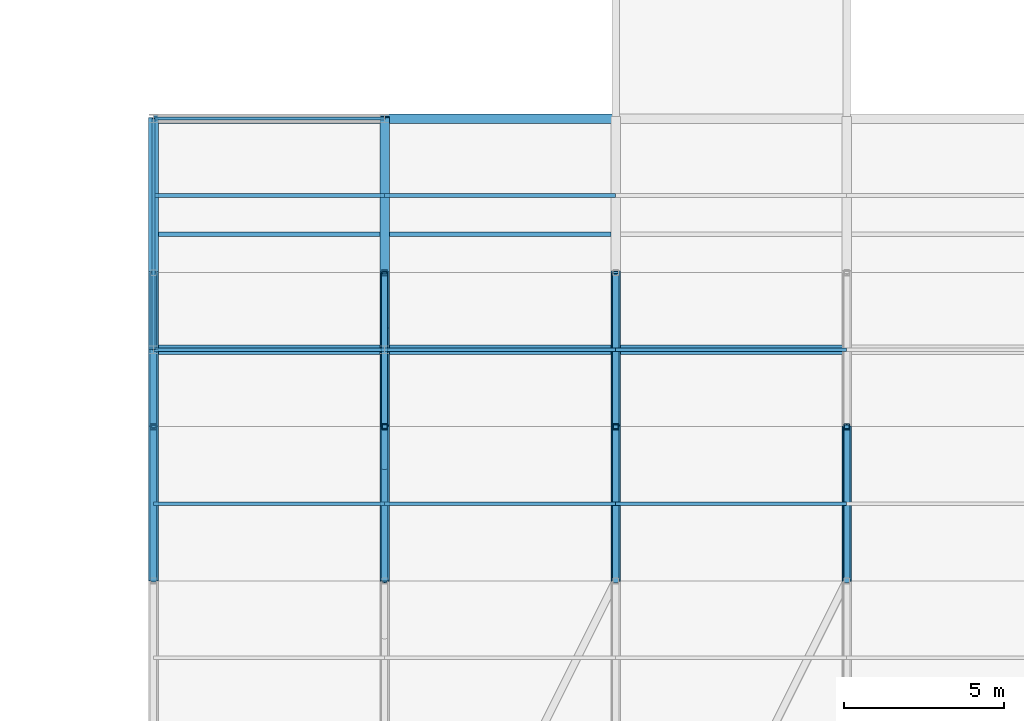
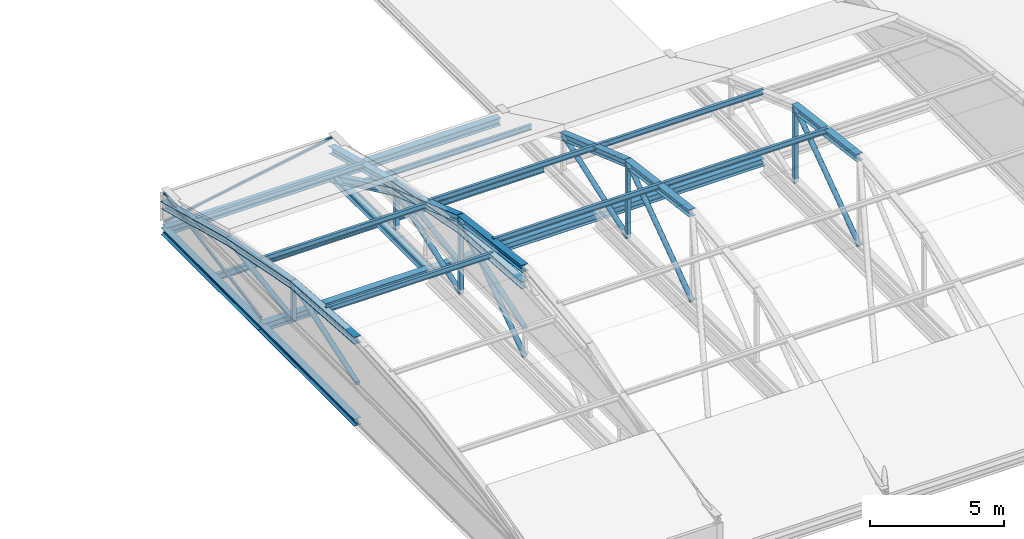
# One storey, part 24 of 103: 29 members, 18 beams.
"""IFC4 building model written with IfcOpenShell, lengths in metres."""

from ifc_helpers import new_model, si_unit, direction, frame, origin, origin_2d, place, context, subcontext, project, spatial, hollow_rectangle, hollow_circle, i_section, extrude, material, material_profile, profile_set, type_object, element, save


model = new_model("IFC4")

# Units and contexts
model_context = context("Model", 3, precision=1e-05, world=origin(), true_north=direction((0.0, 1.0)))
body_context = subcontext(model_context, "Body", "Model", "MODEL_VIEW")
ifc_project = project(units=[si_unit("LENGTHUNIT", "METRE"), si_unit("AREAUNIT", "SQUARE_METRE"), si_unit("VOLUMEUNIT", "CUBIC_METRE"), si_unit("PLANEANGLEUNIT", "RADIAN"), si_unit("MASSUNIT", "GRAM", prefix="KILO")], contexts=[model_context])

# Site, building, storey
site_placement = place(None, origin())
site = spatial("IfcSite", under=ifc_project, at=site_placement, CompositionType="ELEMENT")
building_placement = place(site_placement, origin())
building = spatial("IfcBuilding", under=site, at=building_placement, Name="Zlatovets Crest Museum", CompositionType="ELEMENT")
storey_placement = place(building_placement, frame((0.0, 0.0, 12.89990234375)))
storey = spatial("IfcBuildingStorey", under=building, at=storey_placement, Name="L03", CompositionType="ELEMENT", Elevation=12.89990234375)

# Beams
ifc_material = material(Name="Structural steel S355J2", Category="steel")
ifc_material_profile_1 = material_profile(ifc_material, i_section(OverallWidth=0.300048828125, OverallDepth=0.35009765625, WebThickness=0.010009765625, FlangeThickness=0.017578125, FilletRadius=0.027099609375, at=origin_2d()), Name="HEA 360")
ifc_profile_set_1 = profile_set([ifc_material_profile_1], Name="Structural steel S355J2")
beam_type_1 = type_object("IfcBeamType", Name="Beam_B-03", PredefinedType="BEAM", material=ifc_profile_set_1)
for number, where, z_axis, x_axis, name in (
    (1, (0.0, 21.60009765625, -0.39501953125), (1.0, 0.0, 0.0), (0.0, 1.0, 0.0), "V3 L03 Primary Girder B-03"),
    (2, (7.199951171875, 21.60009765625, -0.39501953125), (1.0, 0.0, 0.0), (0.0, 1.0, 0.0), "V3 L03 Primary Girder B-03"),
):
    element("IfcBeam", number, at=place(storey_placement, frame(where, z_axis=z_axis, x_axis=x_axis)), inside=storey, type_object=beam_type_1, Name=name, PredefinedType="BEAM", context=body_context, shape_type="SweptSolid", body=[
        extrude(i_section(OverallWidth=0.300048828125, OverallDepth=0.35009765625, WebThickness=0.010009765625, FlangeThickness=0.017578125, FilletRadius=0.027099609375, at=origin_2d()), origin(), (0.0, 0.0, 1.0), 7.199951171875),
    ])
beam_1_placement = place(storey_placement, frame((14.39990234375, 21.60009765625, -0.39501953125), z_axis=(1.0, 0.0, 0.0), x_axis=(0.0, 1.0, 0.0)))
element("IfcBeam", 3, at=beam_1_placement, inside=storey, type_object=beam_type_1, Name="V3 L03 Primary Girder B-03", PredefinedType="BEAM", context=body_context, shape_type="SweptSolid", body=[
    extrude(i_section(OverallWidth=0.300048828125, OverallDepth=0.35009765625, WebThickness=0.010009765625, FlangeThickness=0.017578125, FilletRadius=0.027099609375, at=origin_2d()), origin(), (0.0, 0.0, 1.0), 7.2001953125),
])
for number, where, z_axis, x_axis, name in (
    (4, (0.0, 28.800048828125, -0.39501953125), (1.0, 0.0, 0.0), (0.0, 1.0, 0.0), "V3 L03 Primary Girder B-03"),
    (5, (7.199951171875, 28.800048828125, -0.39501953125), (1.0, 0.0, 0.0), (0.0, 1.0, 0.0), "V3 L03 Primary Girder B-03"),
):
    element("IfcBeam", number, at=place(storey_placement, frame(where, z_axis=z_axis, x_axis=x_axis)), inside=storey, type_object=beam_type_1, Name=name, PredefinedType="BEAM", context=body_context, shape_type="SweptSolid", body=[
        extrude(i_section(OverallWidth=0.300048828125, OverallDepth=0.35009765625, WebThickness=0.010009765625, FlangeThickness=0.017578125, FilletRadius=0.027099609375, at=origin_2d()), origin(), (0.0, 0.0, 1.0), 7.199951171875),
    ])
ifc_material_profile_2 = material_profile(ifc_material, i_section(OverallWidth=0.300048828125, OverallDepth=0.31005859375, WebThickness=0.009033203125, FlangeThickness=0.015380859375, FilletRadius=0.027099609375, at=origin_2d()), Name="HEA 320")
ifc_profile_set_2 = profile_set([ifc_material_profile_2], Name="Structural steel S355J2")
beam_type_2 = type_object("IfcBeamType", Name="Beam_B-04", PredefinedType="BEAM", material=ifc_profile_set_2)
beam_2_placement = place(storey_placement, frame((0.0, 14.39990234375, -0.375), z_axis=(0.0, 1.0, 0.0), x_axis=(-1.0, 0.0, 0.0)))
element("IfcBeam", 6, at=beam_2_placement, inside=storey, type_object=beam_type_2, Name="V3 L03 Grid Beam B-04", PredefinedType="BEAM", context=body_context, shape_type="SweptSolid", body=[
    extrude(i_section(OverallWidth=0.300048828125, OverallDepth=0.31005859375, WebThickness=0.009033203125, FlangeThickness=0.015380859375, FilletRadius=0.027099609375, at=origin_2d()), origin(), (0.0, 0.0, 1.0), 7.2001953125),
])
for number, where, z_axis, x_axis, name in (
    (7, (0.0, 21.60009765625, -0.375), (0.0, 1.0, 0.0), (-1.0, 0.0, 0.0), "V3 L03 Grid Beam B-04"),
    (8, (7.199951171875, 21.60009765625, -0.375), (0.0, 1.0, 0.0), (-1.0, 0.0, 0.0), "V3 L03 Grid Beam B-04"),
):
    element("IfcBeam", number, at=place(storey_placement, frame(where, z_axis=z_axis, x_axis=x_axis)), inside=storey, type_object=beam_type_2, Name=name, PredefinedType="BEAM", context=body_context, shape_type="SweptSolid", body=[
        extrude(i_section(OverallWidth=0.300048828125, OverallDepth=0.31005859375, WebThickness=0.009033203125, FlangeThickness=0.015380859375, FilletRadius=0.027099609375, at=origin_2d()), origin(), (0.0, 0.0, 1.0), 7.199951171875),
    ])
ifc_material_profile_3 = material_profile(ifc_material, i_section(OverallWidth=0.14990234375, OverallDepth=0.300048828125, WebThickness=0.007080078125, FlangeThickness=0.0107421875, FilletRadius=0.014892578125, at=origin_2d()), Name="IPE 300")
ifc_profile_set_3 = profile_set([ifc_material_profile_3], Name="Structural steel S355J2")
beam_type_3 = type_object("IfcBeamType", Name="Beam_J-02", PredefinedType="JOIST", material=ifc_profile_set_3)
beam_3_placement = place(storey_placement, frame((0.14990234375, 25.199951171875, -0.369873046875), z_axis=(1.0, 0.0, 0.0), x_axis=(0.0, 1.0, 0.0)))
element("IfcBeam", 9, at=beam_3_placement, inside=storey, type_object=beam_type_3, Name="V3 L03 Composite Joist J-02", PredefinedType="JOIST", context=body_context, shape_type="SweptSolid", body=[
    extrude(i_section(OverallWidth=0.14990234375, OverallDepth=0.300048828125, WebThickness=0.007080078125, FlangeThickness=0.0107421875, FilletRadius=0.014892578125, at=origin_2d()), origin(), (0.0, 0.0, 1.0), 6.900146484375),
])
beam_4_placement = place(storey_placement, frame((7.35009765625, 25.199951171875, -0.369873046875), z_axis=(1.0, 0.0, 0.0), x_axis=(0.0, 1.0, 0.0)))
element("IfcBeam", 10, at=beam_4_placement, inside=storey, type_object=beam_type_3, Name="V3 L03 Composite Joist J-02", PredefinedType="JOIST", context=body_context, shape_type="SweptSolid", body=[
    extrude(i_section(OverallWidth=0.14990234375, OverallDepth=0.300048828125, WebThickness=0.007080078125, FlangeThickness=0.0107421875, FilletRadius=0.014892578125, at=origin_2d()), origin(), (0.0, 0.0, 1.0), 6.89990234375),
])
ifc_material_profile_4 = material_profile(ifc_material, i_section(OverallWidth=0.1201171875, OverallDepth=0.239990234375, WebThickness=0.006103515625, FlangeThickness=0.009765625, FilletRadius=0.014892578125, at=origin_2d()), Name="IPE 240")
ifc_profile_set_4 = profile_set([ifc_material_profile_4], Name="Structural steel S355J2")
beam_type_4 = type_object("IfcBeamType", Name="Beam_PR-01", PredefinedType="BEAM", material=ifc_profile_set_4)
for number, where, z_axis, x_axis, name in (
    (11, (7.199951171875, 16.800048828125, 3.89208984375), (1.0, 0.0, 0.0), (0.0, 1.0, 0.0), "V3 Barrel Vault Longitudinal Purlin"),
    (12, (7.199951171875, 21.60009765625, 2.741943359375), (1.0, 0.0, 0.0), (0.0, 1.0, 0.0), "V3 Barrel Vault Longitudinal Purlin"),
    (13, (7.199951171875, 26.39990234375, 0.75), (1.0, 0.0, 0.0), (0.0, 1.0, 0.0), "V3 Barrel Vault Longitudinal Purlin"),
):
    element("IfcBeam", number, at=place(storey_placement, frame(where, z_axis=z_axis, x_axis=x_axis)), inside=storey, type_object=beam_type_4, Name=name, PredefinedType="BEAM", context=body_context, shape_type="SweptSolid", body=[
        extrude(i_section(OverallWidth=0.1201171875, OverallDepth=0.239990234375, WebThickness=0.006103515625, FlangeThickness=0.009765625, FilletRadius=0.014892578125, at=origin_2d()), origin(), (0.0, 0.0, 1.0), 7.199951171875),
    ])
for number, where, z_axis, x_axis, name in (
    (14, (14.39990234375, 16.800048828125, 3.89208984375), (1.0, 0.0, 0.0), (0.0, 1.0, 0.0), "V3 Barrel Vault Longitudinal Purlin"),
    (15, (14.39990234375, 21.60009765625, 2.741943359375), (1.0, 0.0, 0.0), (0.0, 1.0, 0.0), "V3 Barrel Vault Longitudinal Purlin"),
):
    element("IfcBeam", number, at=place(storey_placement, frame(where, z_axis=z_axis, x_axis=x_axis)), inside=storey, type_object=beam_type_4, Name=name, PredefinedType="BEAM", context=body_context, shape_type="SweptSolid", body=[
        extrude(i_section(OverallWidth=0.1201171875, OverallDepth=0.239990234375, WebThickness=0.006103515625, FlangeThickness=0.009765625, FilletRadius=0.014892578125, at=origin_2d()), origin(), (0.0, 0.0, 1.0), 7.2001953125),
    ])
for number, where, z_axis, x_axis, name in (
    (16, (0.0, 16.800048828125, 3.279296875), (1.0, 0.0, 0.0), (0.0, 1.0, 0.0), "V3 Barrel Vault Longitudinal Purlin"),
    (17, (0.0, 21.60009765625, 2.641845703125), (1.0, 0.0, 0.0), (0.0, 1.0, 0.0), "V3 Barrel Vault Longitudinal Purlin"),
    (18, (0.0, 26.39990234375, 1.53759765625), (1.0, 0.0, 0.0), (0.0, 1.0, 0.0), "V3 Barrel Vault Longitudinal Purlin"),
):
    element("IfcBeam", number, at=place(storey_placement, frame(where, z_axis=z_axis, x_axis=x_axis)), inside=storey, type_object=beam_type_4, Name=name, PredefinedType="BEAM", context=body_context, shape_type="SweptSolid", body=[
        extrude(i_section(OverallWidth=0.1201171875, OverallDepth=0.239990234375, WebThickness=0.006103515625, FlangeThickness=0.009765625, FilletRadius=0.014892578125, at=origin_2d()), origin(), (0.0, 0.0, 1.0), 7.199951171875),
    ])

# Members
ifc_material_profile_5 = material_profile(ifc_material, hollow_rectangle(XDim=0.10009765625, YDim=0.10009765625, WallThickness=0.00634765625, InnerFilletRadius=0.00634765625, OuterFilletRadius=0.0126953125, at=origin_2d()), Name="SHS 100x100x6.3")
ifc_profile_set_5 = profile_set([ifc_material_profile_5], Name="Structural steel S355J2")
member_type_1 = type_object("IfcMemberType", Name="Member_BR-06", PredefinedType="BRACE", material=ifc_profile_set_5)
for number, where, z_axis, x_axis, name in (
    (19, (0.0, 28.800048828125, 0.0), (0.98408648342, 0.0, 0.177690160531), (0.0, 1.0, 0.0), "Auditorium Stage Fly-Loft Wind Brace"),
    (20, (0.0, 21.60009765625, 0.0), (0.0, 0.98408648342, 0.177690160531), (-1.0, 0.0, 0.0), "Auditorium Stage Fly-Loft Wind Brace"),
):
    element("IfcMember", number, at=place(storey_placement, frame(where, z_axis=z_axis, x_axis=x_axis)), inside=storey, type_object=member_type_1, Name=name, PredefinedType="BRACE", context=body_context, shape_type="SweptSolid", body=[
        extrude(hollow_rectangle(XDim=0.10009765625, YDim=0.10009765625, WallThickness=0.00634765625, InnerFilletRadius=0.00634765625, OuterFilletRadius=0.0126953125, at=origin_2d()), origin(), (0.0, 0.0, 1.0), 7.31640625),
    ])
ifc_material_profile_6 = material_profile(ifc_material, i_section(OverallWidth=0.300048828125, OverallDepth=0.31005859375, WebThickness=0.009033203125, FlangeThickness=0.015380859375, FilletRadius=0.027099609375, at=origin_2d()), Name="HEA 320")
ifc_profile_set_6 = profile_set([ifc_material_profile_6], Name="Structural steel S355J2")
member_type_2 = type_object("IfcMemberType", Name="Member_TM-02", PredefinedType="RAFTER", material=ifc_profile_set_6)
member_1_placement = place(storey_placement, frame((7.199951171875, 14.39990234375, 4.10009765625), z_axis=(0.0, 0.991860277123, -0.127331027896), x_axis=(-1.0, 0.0, 0.0)))
element("IfcMember", 21, at=member_1_placement, inside=storey, type_object=member_type_2, Name="V3 Art Nouveau Curved Vault Rib", PredefinedType="RAFTER", context=body_context, shape_type="SweptSolid", body=[
    extrude(i_section(OverallWidth=0.300048828125, OverallDepth=0.31005859375, WebThickness=0.009033203125, FlangeThickness=0.015380859375, FilletRadius=0.027099609375, at=origin_2d()), origin(), (0.0, 0.0, 1.0), 4.83935546875),
])
member_2_placement = place(storey_placement, frame((7.199951171875, 19.199951171875, 3.48388671875), z_axis=(0.0, 0.943623917832, -0.331019488393), x_axis=(-1.0, 0.0, 0.0)))
element("IfcMember", 22, at=member_2_placement, inside=storey, type_object=member_type_2, Name="V3 Art Nouveau Curved Vault Rib", PredefinedType="RAFTER", context=body_context, shape_type="SweptSolid", body=[
    extrude(i_section(OverallWidth=0.300048828125, OverallDepth=0.31005859375, WebThickness=0.009033203125, FlangeThickness=0.015380859375, FilletRadius=0.027099609375, at=origin_2d()), origin(), (0.0, 0.0, 1.0), 5.0869140625),
])
member_3_placement = place(storey_placement, frame((7.199951171875, 24.0, 1.800048828125), z_axis=(0.0, 0.901814166789, -0.432124066188), x_axis=(-1.0, 0.0, 0.0)))
element("IfcMember", 23, at=member_3_placement, inside=storey, type_object=member_type_2, Name="V3 Art Nouveau Curved Vault Rib", PredefinedType="RAFTER", context=body_context, shape_type="SweptSolid", body=[
    extrude(i_section(OverallWidth=0.300048828125, OverallDepth=0.31005859375, WebThickness=0.009033203125, FlangeThickness=0.015380859375, FilletRadius=0.027099609375, at=origin_2d()), origin(), (0.0, 0.0, 1.0), 5.32275390625),
])
member_4_placement = place(storey_placement, frame((14.39990234375, 14.39990234375, 4.10009765625), z_axis=(0.0, 0.991860277123, -0.127331027896), x_axis=(-1.0, 0.0, 0.0)))
element("IfcMember", 24, at=member_4_placement, inside=storey, type_object=member_type_2, Name="V3 Art Nouveau Curved Vault Rib", PredefinedType="RAFTER", context=body_context, shape_type="SweptSolid", body=[
    extrude(i_section(OverallWidth=0.300048828125, OverallDepth=0.31005859375, WebThickness=0.009033203125, FlangeThickness=0.015380859375, FilletRadius=0.027099609375, at=origin_2d()), origin(), (0.0, 0.0, 1.0), 4.83935546875),
])
member_5_placement = place(storey_placement, frame((14.39990234375, 19.199951171875, 3.48388671875), z_axis=(0.0, 0.943623917832, -0.331019488393), x_axis=(-1.0, 0.0, 0.0)))
element("IfcMember", 25, at=member_5_placement, inside=storey, type_object=member_type_2, Name="V3 Art Nouveau Curved Vault Rib", PredefinedType="RAFTER", context=body_context, shape_type="SweptSolid", body=[
    extrude(i_section(OverallWidth=0.300048828125, OverallDepth=0.31005859375, WebThickness=0.009033203125, FlangeThickness=0.015380859375, FilletRadius=0.027099609375, at=origin_2d()), origin(), (0.0, 0.0, 1.0), 5.0869140625),
])
member_6_placement = place(storey_placement, frame((21.60009765625, 14.39990234375, 4.10009765625), z_axis=(0.0, 0.991860277123, -0.127331027896), x_axis=(-1.0, 0.0, 0.0)))
element("IfcMember", 26, at=member_6_placement, inside=storey, type_object=member_type_2, Name="V3 Art Nouveau Curved Vault Rib", PredefinedType="RAFTER", context=body_context, shape_type="SweptSolid", body=[
    extrude(i_section(OverallWidth=0.300048828125, OverallDepth=0.31005859375, WebThickness=0.009033203125, FlangeThickness=0.015380859375, FilletRadius=0.027099609375, at=origin_2d()), origin(), (0.0, 0.0, 1.0), 4.83935546875),
])
member_7_placement = place(storey_placement, frame((0.0, 14.39990234375, 3.35009765625), z_axis=(0.0, 0.99747797809, -0.070976638592), x_axis=(-1.0, 0.0, 0.0)))
element("IfcMember", 27, at=member_7_placement, inside=storey, type_object=member_type_2, Name="V3 Art Nouveau Curved Vault Rib", PredefinedType="RAFTER", context=body_context, shape_type="SweptSolid", body=[
    extrude(i_section(OverallWidth=0.300048828125, OverallDepth=0.31005859375, WebThickness=0.009033203125, FlangeThickness=0.015380859375, FilletRadius=0.027099609375, at=origin_2d()), origin(), (0.0, 0.0, 1.0), 4.812255859375),
])
member_8_placement = place(storey_placement, frame((0.0, 19.199951171875, 3.008544921875), z_axis=(0.0, 0.981615129824, -0.190870995439), x_axis=(-1.0, 0.0, 0.0)))
element("IfcMember", 28, at=member_8_placement, inside=storey, type_object=member_type_2, Name="V3 Art Nouveau Curved Vault Rib", PredefinedType="RAFTER", context=body_context, shape_type="SweptSolid", body=[
    extrude(i_section(OverallWidth=0.300048828125, OverallDepth=0.31005859375, WebThickness=0.009033203125, FlangeThickness=0.015380859375, FilletRadius=0.027099609375, at=origin_2d()), origin(), (0.0, 0.0, 1.0), 4.889892578125),
])
member_9_placement = place(storey_placement, frame((0.0, 24.0, 2.0751953125), z_axis=(0.0, 0.966478456476, -0.25674772281), x_axis=(-1.0, 0.0, 0.0)))
element("IfcMember", 29, at=member_9_placement, inside=storey, type_object=member_type_2, Name="V3 Art Nouveau Curved Vault Rib", PredefinedType="RAFTER", context=body_context, shape_type="SweptSolid", body=[
    extrude(i_section(OverallWidth=0.300048828125, OverallDepth=0.31005859375, WebThickness=0.009033203125, FlangeThickness=0.015380859375, FilletRadius=0.027099609375, at=origin_2d()), origin(), (0.0, 0.0, 1.0), 4.966552734375),
])
member_10_placement = place(storey_placement, frame((7.199951171875, 14.39990234375, 3.35009765625), z_axis=(0.0, 0.99747797809, -0.070976638592), x_axis=(-1.0, 0.0, 0.0)))
element("IfcMember", 30, at=member_10_placement, inside=storey, type_object=member_type_2, Name="V3 Art Nouveau Curved Vault Rib", PredefinedType="RAFTER", context=body_context, shape_type="SweptSolid", body=[
    extrude(i_section(OverallWidth=0.300048828125, OverallDepth=0.31005859375, WebThickness=0.009033203125, FlangeThickness=0.015380859375, FilletRadius=0.027099609375, at=origin_2d()), origin(), (0.0, 0.0, 1.0), 4.812255859375),
])
member_11_placement = place(storey_placement, frame((7.199951171875, 19.199951171875, 3.008544921875), z_axis=(0.0, 0.981615129824, -0.190870995439), x_axis=(-1.0, 0.0, 0.0)))
element("IfcMember", 31, at=member_11_placement, inside=storey, type_object=member_type_2, Name="V3 Art Nouveau Curved Vault Rib", PredefinedType="RAFTER", context=body_context, shape_type="SweptSolid", body=[
    extrude(i_section(OverallWidth=0.300048828125, OverallDepth=0.31005859375, WebThickness=0.009033203125, FlangeThickness=0.015380859375, FilletRadius=0.027099609375, at=origin_2d()), origin(), (0.0, 0.0, 1.0), 4.889892578125),
])
member_12_placement = place(storey_placement, frame((7.199951171875, 24.0, 2.0751953125), z_axis=(0.0, 0.966478456476, -0.25674772281), x_axis=(-1.0, 0.0, 0.0)))
element("IfcMember", 32, at=member_12_placement, inside=storey, type_object=member_type_2, Name="V3 Art Nouveau Curved Vault Rib", PredefinedType="RAFTER", context=body_context, shape_type="SweptSolid", body=[
    extrude(i_section(OverallWidth=0.300048828125, OverallDepth=0.31005859375, WebThickness=0.009033203125, FlangeThickness=0.015380859375, FilletRadius=0.027099609375, at=origin_2d()), origin(), (0.0, 0.0, 1.0), 4.966552734375),
])
ifc_material_profile_7 = material_profile(ifc_material, hollow_rectangle(XDim=0.179931640625, YDim=0.179931640625, WallThickness=0.010009765625, InnerFilletRadius=0.010009765625, OuterFilletRadius=0.02001953125, at=origin_2d()), Name="SHS 180x180x10.0")
ifc_profile_set_7 = profile_set([ifc_material_profile_7], Name="Structural steel S355J2")
member_type_3 = type_object("IfcMemberType", Name="Member_TM-04", PredefinedType="STRUT", material=ifc_profile_set_7)
member_13_placement = place(storey_placement, frame((7.199951171875, 19.199951171875, 0.080078125), z_axis=(0.0, 0.0, 1.0), x_axis=(1.0, 0.0, 0.0)))
element("IfcMember", 33, at=member_13_placement, inside=storey, type_object=member_type_3, Name="V3 Barrel Vault Web Strut", PredefinedType="STRUT", context=body_context, shape_type="SweptSolid", body=[
    extrude(hollow_rectangle(XDim=0.179931640625, YDim=0.179931640625, WallThickness=0.010009765625, InnerFilletRadius=0.010009765625, OuterFilletRadius=0.02001953125, at=origin_2d()), origin(), (0.0, 0.0, 1.0), 3.40380859375),
])
member_14_placement = place(storey_placement, frame((7.199951171875, 24.0, 0.080078125), z_axis=(0.0, 0.0, 1.0), x_axis=(1.0, 0.0, 0.0)))
element("IfcMember", 34, at=member_14_placement, inside=storey, type_object=member_type_3, Name="V3 Barrel Vault Web Strut", PredefinedType="STRUT", context=body_context, shape_type="SweptSolid", body=[
    extrude(hollow_rectangle(XDim=0.179931640625, YDim=0.179931640625, WallThickness=0.010009765625, InnerFilletRadius=0.010009765625, OuterFilletRadius=0.02001953125, at=origin_2d()), origin(), (0.0, 0.0, 1.0), 1.719970703125),
])
for number, where, z_axis, x_axis, name in (
    (35, (14.39990234375, 19.199951171875, 0.080078125), (0.0, 0.0, 1.0), (1.0, 0.0, 0.0), "V3 Barrel Vault Web Strut"),
    (36, (21.60009765625, 19.199951171875, 0.080078125), (0.0, 0.0, 1.0), (1.0, 0.0, 0.0), "V3 Barrel Vault Web Strut"),
):
    element("IfcMember", number, at=place(storey_placement, frame(where, z_axis=z_axis, x_axis=x_axis)), inside=storey, type_object=member_type_3, Name=name, PredefinedType="STRUT", context=body_context, shape_type="SweptSolid", body=[
        extrude(hollow_rectangle(XDim=0.179931640625, YDim=0.179931640625, WallThickness=0.010009765625, InnerFilletRadius=0.010009765625, OuterFilletRadius=0.02001953125, at=origin_2d()), origin(), (0.0, 0.0, 1.0), 3.40380859375),
    ])
for number, where, z_axis, x_axis, name in (
    (37, (0.0, 19.199951171875, 1.380126953125), (0.0, 0.0, 1.0), (1.0, 0.0, 0.0), "V3 Barrel Vault Web Strut"),
    (38, (7.199951171875, 19.199951171875, 1.380126953125), (0.0, 0.0, 1.0), (1.0, 0.0, 0.0), "V3 Barrel Vault Web Strut"),
):
    element("IfcMember", number, at=place(storey_placement, frame(where, z_axis=z_axis, x_axis=x_axis)), inside=storey, type_object=member_type_3, Name=name, PredefinedType="STRUT", context=body_context, shape_type="SweptSolid", body=[
        extrude(hollow_rectangle(XDim=0.179931640625, YDim=0.179931640625, WallThickness=0.010009765625, InnerFilletRadius=0.010009765625, OuterFilletRadius=0.02001953125, at=origin_2d()), origin(), (0.0, 0.0, 1.0), 1.62841796875),
    ])
ifc_material_profile_8 = material_profile(ifc_material, hollow_circle(Radius=0.109619140625, WallThickness=0.010009765625, at=origin_2d()), Name="CHS 219.1x10.0")
ifc_profile_set_8 = profile_set([ifc_material_profile_8], Name="Structural steel S355J2")
member_type_4 = type_object("IfcMemberType", Name="Member_TM-05", PredefinedType="BRACE", material=ifc_profile_set_8)
member_15_placement = place(storey_placement, frame((7.199951171875, 14.39990234375, 0.080078125), z_axis=(0.0, 0.815721856917, 0.578444337986), x_axis=(-1.0, 0.0, 0.0)))
element("IfcMember", 39, at=member_15_placement, inside=storey, type_object=member_type_4, Name="V3 Barrel Vault Web Diagonal", PredefinedType="BRACE", context=body_context, shape_type="SweptSolid", body=[
    extrude(hollow_circle(Radius=0.109619140625, WallThickness=0.010009765625, at=origin_2d()), origin(), (0.0, 0.0, 1.0), 5.884521484375),
])
member_16_placement = place(storey_placement, frame((7.199951171875, 19.199951171875, 0.080078125), z_axis=(0.0, 0.941389329103, 0.337321999061), x_axis=(-1.0, 0.0, 0.0)))
element("IfcMember", 40, at=member_16_placement, inside=storey, type_object=member_type_4, Name="V3 Barrel Vault Web Diagonal", PredefinedType="BRACE", context=body_context, shape_type="SweptSolid", body=[
    extrude(hollow_circle(Radius=0.109619140625, WallThickness=0.010009765625, at=origin_2d()), origin(), (0.0, 0.0, 1.0), 5.098876953125),
])
member_17_placement = place(storey_placement, frame((14.39990234375, 14.39990234375, 0.080078125), z_axis=(0.0, 0.815721856917, 0.578444337986), x_axis=(-1.0, 0.0, 0.0)))
element("IfcMember", 41, at=member_17_placement, inside=storey, type_object=member_type_4, Name="V3 Barrel Vault Web Diagonal", PredefinedType="BRACE", context=body_context, shape_type="SweptSolid", body=[
    extrude(hollow_circle(Radius=0.109619140625, WallThickness=0.010009765625, at=origin_2d()), origin(), (0.0, 0.0, 1.0), 5.884521484375),
])
member_18_placement = place(storey_placement, frame((14.39990234375, 19.199951171875, 0.080078125), z_axis=(0.0, 0.941389329103, 0.337321999061), x_axis=(-1.0, 0.0, 0.0)))
element("IfcMember", 42, at=member_18_placement, inside=storey, type_object=member_type_4, Name="V3 Barrel Vault Web Diagonal", PredefinedType="BRACE", context=body_context, shape_type="SweptSolid", body=[
    extrude(hollow_circle(Radius=0.109619140625, WallThickness=0.010009765625, at=origin_2d()), origin(), (0.0, 0.0, 1.0), 5.098876953125),
])
member_19_placement = place(storey_placement, frame((21.60009765625, 14.39990234375, 0.080078125), z_axis=(0.0, 0.815721856917, 0.578444337986), x_axis=(-1.0, 0.0, 0.0)))
element("IfcMember", 43, at=member_19_placement, inside=storey, type_object=member_type_4, Name="V3 Barrel Vault Web Diagonal", PredefinedType="BRACE", context=body_context, shape_type="SweptSolid", body=[
    extrude(hollow_circle(Radius=0.109619140625, WallThickness=0.010009765625, at=origin_2d()), origin(), (0.0, 0.0, 1.0), 5.884521484375),
])
member_20_placement = place(storey_placement, frame((0.0, 14.39990234375, 1.380126953125), z_axis=(0.0, 0.946988905985, 0.321266263309), x_axis=(-1.0, 0.0, 0.0)))
element("IfcMember", 44, at=member_20_placement, inside=storey, type_object=member_type_4, Name="V3 Barrel Vault Web Diagonal", PredefinedType="BRACE", context=body_context, shape_type="SweptSolid", body=[
    extrude(hollow_circle(Radius=0.109619140625, WallThickness=0.010009765625, at=origin_2d()), origin(), (0.0, 0.0, 1.0), 5.06884765625),
])
member_21_placement = place(storey_placement, frame((0.0, 19.199951171875, 1.380126953125), z_axis=(0.0, 0.989677885156, 0.143309747166), x_axis=(-1.0, 0.0, 0.0)))
element("IfcMember", 45, at=member_21_placement, inside=storey, type_object=member_type_4, Name="V3 Barrel Vault Web Diagonal", PredefinedType="BRACE", context=body_context, shape_type="SweptSolid", body=[
    extrude(hollow_circle(Radius=0.109619140625, WallThickness=0.010009765625, at=origin_2d()), origin(), (0.0, 0.0, 1.0), 4.85009765625),
])
member_22_placement = place(storey_placement, frame((7.199951171875, 14.39990234375, 1.380126953125), z_axis=(0.0, 0.946988905985, 0.321266263309), x_axis=(-1.0, 0.0, 0.0)))
element("IfcMember", 46, at=member_22_placement, inside=storey, type_object=member_type_4, Name="V3 Barrel Vault Web Diagonal", PredefinedType="BRACE", context=body_context, shape_type="SweptSolid", body=[
    extrude(hollow_circle(Radius=0.109619140625, WallThickness=0.010009765625, at=origin_2d()), origin(), (0.0, 0.0, 1.0), 5.06884765625),
])
member_23_placement = place(storey_placement, frame((7.199951171875, 19.199951171875, 1.380126953125), z_axis=(0.0, 0.989677885156, 0.143309747166), x_axis=(-1.0, 0.0, 0.0)))
element("IfcMember", 47, at=member_23_placement, inside=storey, type_object=member_type_4, Name="V3 Barrel Vault Web Diagonal", PredefinedType="BRACE", context=body_context, shape_type="SweptSolid", body=[
    extrude(hollow_circle(Radius=0.109619140625, WallThickness=0.010009765625, at=origin_2d()), origin(), (0.0, 0.0, 1.0), 4.85009765625),
])

save(model, "model.ifc")
